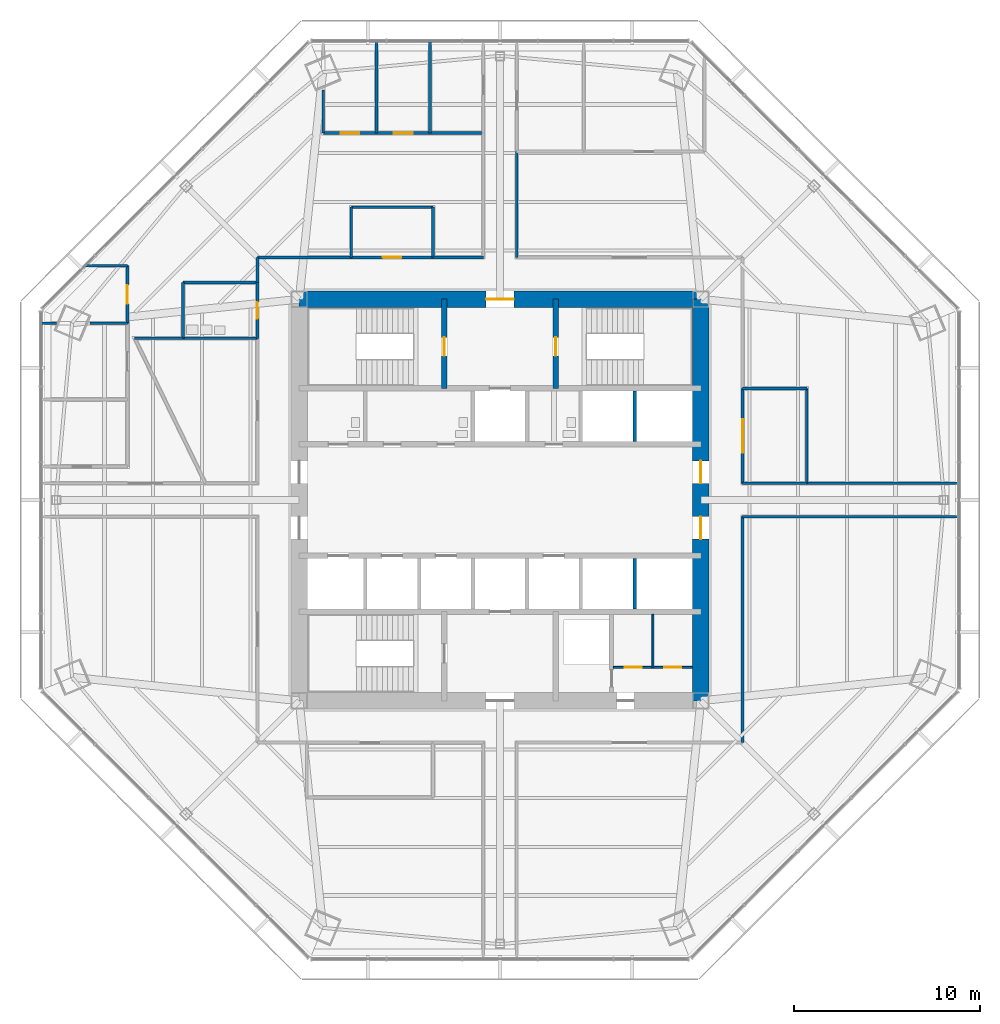
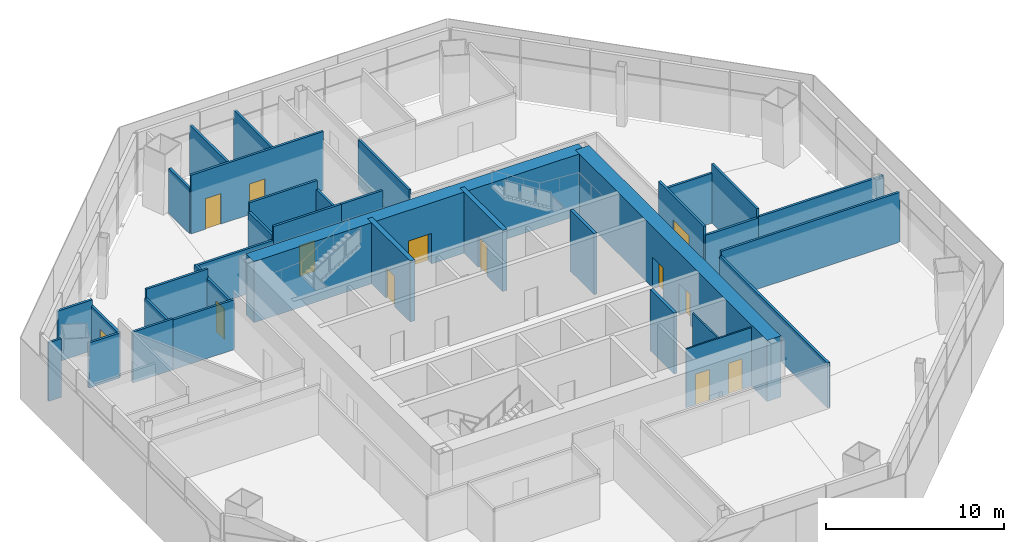
# One storey, part 10 of 14: 36 walls, 13 doors, 13 openings.
"""IFC4 building model written with IfcOpenShell, lengths in metres."""

import ifcopenshell
import ifcopenshell.guid

model = None  # the IFC model being written
_history = None  # IfcOwnerHistory: only IFC2X3 demands one
_inside = {}  # id of a spatial element -> (the spatial element, [elements in it])
_under = {}  # id of a project, library or spatial element -> (it, [spatial elements below it])
_declared = {}  # id of a project -> (the project, [libraries it declares])
_typed = {}  # id of a type object -> (the type object, [elements of that type])
_made_of = {}  # id of a material, layer set ... -> (it, [elements and type objects made of it])


def new_model(schema):
    """Start an empty IFC model of exactly this schema.

    Asked for "IFC4X3", IfcOpenShell would pick the latest addendum, in which some entities
    have other attributes; the version numbers below select the first issue.
    IFC2X3 requires an IfcOwnerHistory on every rooted entity: one is made here for all.
    """
    global model, _history
    if schema == "IFC4X3":
        model = ifcopenshell.file(schema_version=(4, 3, 0, 0))
    else:
        model = ifcopenshell.file(schema=schema)
    _inside.clear()
    _under.clear()
    _declared.clear()
    _typed.clear()
    _made_of.clear()
    _history = None
    if model.schema == "IFC2X3":
        org = make("IfcOrganization", Name="unknown")
        user = make(
            "IfcPersonAndOrganization",
            ThePerson=make("IfcPerson", FamilyName="unknown"),
            TheOrganization=org,
        )
        app = make(
            "IfcApplication",
            ApplicationDeveloper=org,
            Version="unknown",
            ApplicationFullName="unknown",
            ApplicationIdentifier="unknown",
        )
        _history = make(
            "IfcOwnerHistory",
            OwningUser=user,
            OwningApplication=app,
            ChangeAction="ADDED",
            CreationDate=0,
        )
    return model


def make(cls, **values):
    """One entity of the class cls with the attributes given. An attribute that is None is left unset."""
    return model.create_entity(
        cls, **{name: value for name, value in values.items() if value is not None}
    )


def rooted(cls, **values):
    """An entity with a GlobalId (a new one), such as an element, a storey or a relation."""
    return make(cls, GlobalId=ifcopenshell.guid.new(), OwnerHistory=_history, **values)


def si_unit(unit_type, name, prefix=None):
    """IfcSIUnit, for example si_unit("LENGTHUNIT", "METRE", prefix="MILLI")."""
    return make("IfcSIUnit", UnitType=unit_type, Prefix=prefix, Name=name)


def assignment(units):
    """IfcUnitAssignment: the units of a project."""
    return None if units is None else make("IfcUnitAssignment", Units=units)


def point(xyz):
    """IfcCartesianPoint."""
    return None if xyz is None else make("IfcCartesianPoint", Coordinates=xyz)


def direction(xyz):
    """IfcDirection."""
    return None if xyz is None else make("IfcDirection", DirectionRatios=xyz)


def frame(location, z_axis=None, x_axis=None):
    """IfcAxis2Placement3D, a coordinate frame: its origin and axes. An axis left out is left unset."""
    return make(
        "IfcAxis2Placement3D",
        Location=point(location),
        Axis=direction(z_axis),
        RefDirection=direction(x_axis),
    )


def frame_2d(location, x_axis=None):
    """IfcAxis2Placement2D, a coordinate frame in the plane: its origin and x axis."""
    return make(
        "IfcAxis2Placement2D", Location=point(location), RefDirection=direction(x_axis)
    )


def origin():
    """The frame at (0, 0, 0) with its axes left unset."""
    return frame((0.0, 0.0, 0.0))


def place(relative_to, where):
    """IfcLocalPlacement: puts the frame where relative to a parent placement (None: the world)."""
    return make(
        "IfcLocalPlacement", PlacementRelTo=relative_to, RelativePlacement=where
    )


def context(
    kind, dimensions, precision=None, world=None, true_north=None, identifier=None
):
    """IfcGeometricRepresentationContext, for example the 3D "Model" context."""
    return make(
        "IfcGeometricRepresentationContext",
        ContextIdentifier=identifier,
        ContextType=kind,
        CoordinateSpaceDimension=dimensions,
        Precision=precision,
        WorldCoordinateSystem=world,
        TrueNorth=true_north,
    )


def subcontext(parent, identifier, kind, view, scale=None):
    """IfcGeometricRepresentationSubContext, for example "Body" below "Model"."""
    return make(
        "IfcGeometricRepresentationSubContext",
        ContextIdentifier=identifier,
        ContextType=kind,
        ParentContext=parent,
        TargetScale=scale,
        TargetView=view,
    )


def project(units=None, contexts=None):
    """IfcProject with its units and contexts."""
    return rooted(
        "IfcProject",
        Name="project",
        RepresentationContexts=contexts,
        UnitsInContext=assignment(units),
    )


def spatial(cls, under=None, at=None, **own):
    """A site, building, storey or space (cls), placed at a placement, below another one or the project."""
    s = rooted(cls, ObjectPlacement=at, **own)
    if under is not None:
        _under.setdefault(under.id(), (under, []))[1].append(s)
    return s


def profile(cls, at=None, kind="AREA", **sizes):
    """A parametric profile (cls). Its sizes go by their IFC names, for example OverallWidth=200.0."""
    return make(cls, ProfileType=kind, Position=at, **sizes)


def rectangle(**sizes):
    """IfcRectangleProfileDef."""
    return profile("IfcRectangleProfileDef", **sizes)


def extrude(swept, where, along, depth):
    """IfcExtrudedAreaSolid: the profile swept, set in the frame where, extruded along a direction by depth."""
    return make(
        "IfcExtrudedAreaSolid",
        SweptArea=swept,
        Position=where,
        ExtrudedDirection=direction(along),
        Depth=depth,
    )


def shape(context_of_items, identifier, shape_type, items):
    """IfcShapeRepresentation: the items that make up one representation, for example the "Body"."""
    return make(
        "IfcShapeRepresentation",
        ContextOfItems=context_of_items,
        RepresentationIdentifier=identifier,
        RepresentationType=shape_type,
        Items=items,
    )


def material(Name=None, Category=None):
    """IfcMaterial."""
    return make("IfcMaterial", Name=Name, Category=Category)


def layer(
    of_material, thickness, ventilated=None, Name=None, Category=None, Priority=None
):
    """IfcMaterialLayer: one layer of a wall or slab, of a material (None: an air gap)."""
    return make(
        "IfcMaterialLayer",
        Material=of_material,
        LayerThickness=thickness,
        IsVentilated=ventilated,
        Name=Name,
        Category=Category,
        Priority=Priority,
    )


def layer_set(layers, Name=None):
    """IfcMaterialLayerSet."""
    return make("IfcMaterialLayerSet", MaterialLayers=layers, LayerSetName=Name)


def made_of(thing, what):
    """Note that an element or type object is made of a material, layer set ...; save() writes the relation."""
    if what is not None:
        _made_of.setdefault(what.id(), (what, []))[1].append(thing)
    return thing


def type_object(cls, material=None, **own):
    """A type object (cls), such as IfcWallType, which elements share."""
    return made_of(rooted(cls, **own), material)


def element(
    cls,
    number,
    at=None,
    inside=None,
    cuts=None,
    type_object=None,
    material=None,
    context=None,
    identifier="Body",
    shape_type=None,
    held_by="IfcProductDefinitionShape",
    body=None,
    shapes=None,
    **own,
):
    """One element of the class cls, such as IfcWall. Its Tag is "e" and its number.

    at: its placement. inside: the storey or other place that contains it. cuts: it is an
    opening in that element (IfcRelVoidsElement). A single representation is given by context,
    identifier, shape_type and body (its items); several are given by shapes. held_by: the class
    of the entity that holds the representations. save() writes the other relations.
    """
    e = rooted(cls, Tag="e%d" % number, ObjectPlacement=at, **own)
    if body is not None:
        shapes = [shape(context, identifier, shape_type, body)]
    if shapes is not None:
        e.Representation = make(held_by, Representations=shapes)
    if inside is not None:
        _inside.setdefault(inside.id(), (inside, []))[1].append(e)
    if cuts is not None:
        rooted(
            "IfcRelVoidsElement", RelatingBuildingElement=cuts, RelatedOpeningElement=e
        )
    if type_object is not None:
        _typed.setdefault(type_object.id(), (type_object, []))[1].append(e)
    return made_of(e, material)


def fill(opening, filler):
    """IfcRelFillsElement: the door or window that sits in an opening."""
    return rooted(
        "IfcRelFillsElement",
        RelatingOpeningElement=opening,
        RelatedBuildingElement=filler,
    )


def aggregate(whole, parts):
    """IfcRelAggregates: a whole, such as a stair, and the parts it consists of."""
    return rooted("IfcRelAggregates", RelatingObject=whole, RelatedObjects=parts)


def save(model, path):
    """Write the relations noted so far, then the file.

    IfcRelAggregates (storeys below a building ...), IfcRelContainedInSpatialStructure (elements
    in a storey), IfcRelDefinesByType, IfcRelAssociatesMaterial and IfcRelDeclares: one each for
    every whole, place, type object, material and project.
    """
    for whole, parts in _under.values():
        aggregate(whole, parts)
    for where, things in _inside.values():
        rooted(
            "IfcRelContainedInSpatialStructure",
            RelatedElements=things,
            RelatingStructure=where,
        )
    for kind, things in _typed.values():
        rooted("IfcRelDefinesByType", RelatedObjects=things, RelatingType=kind)
    for what, things in _made_of.values():
        rooted("IfcRelAssociatesMaterial", RelatedObjects=things, RelatingMaterial=what)
    for by, libraries in _declared.values():
        rooted("IfcRelDeclares", RelatingContext=by, RelatedDefinitions=libraries)
    model.write(path)


model = new_model("IFC4")

# Units and contexts
model_context = context("Model", 3, precision=1e-05, world=origin(), true_north=direction((0.0, 1.0)))
body_context = subcontext(model_context, "Body", "Model", "MODEL_VIEW")
ifc_project = project(units=[si_unit("LENGTHUNIT", "METRE"), si_unit("AREAUNIT", "SQUARE_METRE"), si_unit("VOLUMEUNIT", "CUBIC_METRE"), si_unit("PLANEANGLEUNIT", "RADIAN"), si_unit("MASSUNIT", "GRAM", prefix="KILO")], contexts=[model_context])

# Site, building, storey
site_placement = place(None, origin())
site = spatial("IfcSite", under=ifc_project, at=site_placement, CompositionType="ELEMENT")
building_placement = place(site_placement, origin())
building = spatial("IfcBuilding", under=site, at=building_placement, Name="Mashrafa Tower", CompositionType="ELEMENT")
storey_placement = place(building_placement, frame((0.0, 0.0, 117.60009765625)))
storey = spatial("IfcBuildingStorey", under=building, at=storey_placement, Name="L26", CompositionType="ELEMENT", Elevation=117.60009765625)

# Wall, opening, door
ifc_material_1 = material(Name="Concrete C60/75", Category="concrete")
ifc_layer_1 = layer(ifc_material_1, 0.300048828125)
ifc_layer_set_1 = layer_set([ifc_layer_1], Name="Core wall 300 C60/75")
wall_type_1 = type_object("IfcWallType", Name="Core wall 300 C60/75", PredefinedType="SOLIDWALL", material=ifc_layer_set_1)
wall_1_placement = place(storey_placement, frame((-3.0, 6.0, 0.0), z_axis=(0.0, 0.0, 1.0), x_axis=(0.0, 1.0, 0.0)))
wall_1 = element("IfcWall", 1, at=wall_1_placement, inside=storey, type_object=wall_type_1, Name="Core wall CX-NW L26", PredefinedType="SOLIDWALL", context=body_context, shape_type="SweptSolid", body=[
    extrude(rectangle(XDim=4.800048828125, YDim=0.300048828125, at=frame_2d((2.39990234375, 0.0))), origin(), (0.0, 0.0, 1.0), 4.199951171875),
])
opening_1_placement = place(wall_1_placement, frame((1.75, 0.0, 0.0)))
opening_1 = element("IfcOpeningElement", 2, at=opening_1_placement, cuts=wall_1, Name="Opening 26.024", PredefinedType="OPENING", context=body_context, shape_type="SweptSolid", body=[
    extrude(rectangle(XDim=1.0, YDim=2.10009765625, at=frame_2d((0.5, 1.050048828125))), frame((0.0, 0.159912109375, 0.0), z_axis=(0.0, -1.0, 0.0), x_axis=(1.0, 0.0, 0.0)), (0.0, 0.0, 1.0), 0.320068359375),
])
ifc_material_2 = material(Name="Steel door", Category="steel")
door_type_1 = type_object("IfcDoorType", Name="Stair door 1000 x 2100 90 min", OperationType="USERDEFINED", PredefinedType="DOOR", material=ifc_material_2)
door_1_placement = place(opening_1_placement, origin())
door_1 = element("IfcDoor", 3, at=door_1_placement, inside=storey, type_object=door_type_1, Name="Stair S1 door L26", OperationType="SINGLE_SWING_LEFT", OverallHeight=2.10009765625, OverallWidth=1.0, PredefinedType="DOOR", context=body_context, shape_type="SweptSolid", body=[
    extrude(rectangle(XDim=1.0, YDim=2.10009765625, at=frame_2d((0.5, 1.050048828125))), frame((0.0, 0.02490234375, 0.0), z_axis=(0.0, -1.0, 0.0), x_axis=(1.0, 0.0, 0.0)), (0.0, 0.0, 1.0), 0.050048828125),
])
fill(opening_1, door_1)

wall_2_placement = place(storey_placement, frame((3.0, 6.0, 0.0), z_axis=(0.0, 0.0, 1.0), x_axis=(0.0, 1.0, 0.0)))
wall_2 = element("IfcWall", 4, at=wall_2_placement, inside=storey, type_object=wall_type_1, Name="Core wall CX-NE L26", PredefinedType="SOLIDWALL", context=body_context, shape_type="SweptSolid", body=[
    extrude(rectangle(XDim=4.800048828125, YDim=0.300048828125, at=frame_2d((2.39990234375, 0.0))), origin(), (0.0, 0.0, 1.0), 4.199951171875),
])
opening_2_placement = place(wall_2_placement, frame((1.75, 0.0, 0.0)))
opening_2 = element("IfcOpeningElement", 5, at=opening_2_placement, cuts=wall_2, Name="Opening 26.025", PredefinedType="OPENING", context=body_context, shape_type="SweptSolid", body=[
    extrude(rectangle(XDim=1.0, YDim=2.10009765625, at=frame_2d((0.5, 1.050048828125))), frame((0.0, 0.159912109375, 0.0), z_axis=(0.0, -1.0, 0.0), x_axis=(1.0, 0.0, 0.0)), (0.0, 0.0, 1.0), 0.320068359375),
])
door_2_placement = place(opening_2_placement, frame((1.0, 0.0, 0.0), z_axis=(0.0, 0.0, 1.0), x_axis=(-1.0, 0.0, 0.0)))
door_2 = element("IfcDoor", 6, at=door_2_placement, inside=storey, type_object=door_type_1, Name="Stair S2 door L26", OperationType="SINGLE_SWING_RIGHT", OverallHeight=2.10009765625, OverallWidth=1.0, PredefinedType="DOOR", context=body_context, shape_type="SweptSolid", body=[
    extrude(rectangle(XDim=1.0, YDim=2.10009765625, at=frame_2d((0.5, 1.050048828125))), frame((0.0, 0.02490234375, 0.0), z_axis=(0.0, -1.0, 0.0), x_axis=(1.0, 0.0, 0.0)), (0.0, 0.0, 1.0), 0.050048828125),
])
fill(opening_2, door_2)

# Wall, openings, doors
ifc_material_3 = material(Name="Concrete C60/75", Category="concrete")
ifc_layer_2 = layer(ifc_material_3, 0.89990234375)
ifc_layer_set_2 = layer_set([ifc_layer_2], Name="Core wall 900 C60/75")
wall_type_2 = type_object("IfcWallType", Name="Core wall 900 C60/75", PredefinedType="SOLIDWALL", material=ifc_layer_set_2)
wall_3_placement = place(storey_placement, frame((10.800048828125, -10.800048828125, 0.0), z_axis=(0.0, 0.0, 1.0), x_axis=(0.0, 1.0, 0.0)))
wall_3 = element("IfcWall", 7, at=wall_3_placement, inside=storey, type_object=wall_type_2, Name="Core wall CW-E L26", PredefinedType="SOLIDWALL", context=body_context, shape_type="SweptSolid", body=[
    extrude(rectangle(XDim=21.60009765625, YDim=0.89990234375, at=frame_2d((10.800048828125, 0.0))), origin(), (0.0, 0.0, 1.0), 4.199951171875),
])
opening_3_placement = place(wall_3_placement, frame((11.699951171875, 0.0, 0.0)))
opening_3 = element("IfcOpeningElement", 8, at=opening_3_placement, cuts=wall_3, Name="Opening 26.018", PredefinedType="OPENING", context=body_context, shape_type="SweptSolid", body=[
    extrude(rectangle(XDim=1.199951171875, YDim=2.10009765625, at=frame_2d((0.60009765625, 1.050048828125))), frame((0.0, 0.4599609375, 0.0), z_axis=(0.0, -1.0, 0.0), x_axis=(1.0, 0.0, 0.0)), (0.0, 0.0, 1.0), 0.919921875),
])
opening_4_placement = place(wall_3_placement, frame((8.699951171875, 0.0, 0.0)))
opening_4 = element("IfcOpeningElement", 9, at=opening_4_placement, cuts=wall_3, Name="Opening 26.020", PredefinedType="OPENING", context=body_context, shape_type="SweptSolid", body=[
    extrude(rectangle(XDim=1.199951171875, YDim=2.10009765625, at=frame_2d((0.60009765625, 1.050048828125))), frame((0.0, 0.4599609375, 0.0), z_axis=(0.0, -1.0, 0.0), x_axis=(1.0, 0.0, 0.0)), (0.0, 0.0, 1.0), 0.919921875),
])
ifc_material_4 = material(Name="Steel door", Category="steel")
door_type_2 = type_object("IfcDoorType", Name="Lift hall door 1200 x 2100 90 min", OperationType="USERDEFINED", PredefinedType="DOOR", material=ifc_material_4)
door_3_placement = place(opening_3_placement, frame((1.199951171875, 0.0, 0.0), z_axis=(0.0, 0.0, 1.0), x_axis=(-1.0, 0.0, 0.0)))
door_3 = element("IfcDoor", 10, at=door_3_placement, inside=storey, type_object=door_type_2, Name="Lift hall door east L26", OperationType="SINGLE_SWING_LEFT", OverallHeight=2.10009765625, OverallWidth=1.199951171875, PredefinedType="DOOR", context=body_context, shape_type="SweptSolid", body=[
    extrude(rectangle(XDim=1.199951171875, YDim=2.10009765625, at=frame_2d((0.60009765625, 1.050048828125))), frame((0.0, 0.02490234375, 0.0), z_axis=(0.0, -1.0, 0.0), x_axis=(1.0, 0.0, 0.0)), (0.0, 0.0, 1.0), 0.050048828125),
])
fill(opening_3, door_3)
door_4_placement = place(opening_4_placement, frame((1.199951171875, 0.0, 0.0), z_axis=(0.0, 0.0, 1.0), x_axis=(-1.0, 0.0, 0.0)))
door_4 = element("IfcDoor", 11, at=door_4_placement, inside=storey, type_object=door_type_2, Name="Lift hall door east L26", OperationType="SINGLE_SWING_RIGHT", OverallHeight=2.10009765625, OverallWidth=1.199951171875, PredefinedType="DOOR", context=body_context, shape_type="SweptSolid", body=[
    extrude(rectangle(XDim=1.199951171875, YDim=2.10009765625, at=frame_2d((0.60009765625, 1.050048828125))), frame((0.0, 0.02490234375, 0.0), z_axis=(0.0, -1.0, 0.0), x_axis=(1.0, 0.0, 0.0)), (0.0, 0.0, 1.0), 0.050048828125),
])
fill(opening_4, door_4)

# Wall, opening, door
wall_4_placement = place(storey_placement, frame((10.800048828125, 10.800048828125, 0.0), z_axis=(0.0, 0.0, 1.0), x_axis=(-1.0, 0.0, 0.0)))
wall_4 = element("IfcWall", 12, at=wall_4_placement, inside=storey, type_object=wall_type_2, Name="Core wall CW-N L26", PredefinedType="SOLIDWALL", context=body_context, shape_type="SweptSolid", body=[
    extrude(rectangle(XDim=21.60009765625, YDim=0.89990234375, at=frame_2d((10.800048828125, 0.0))), origin(), (0.0, 0.0, 1.0), 4.199951171875),
])
opening_5_placement = place(wall_4_placement, frame((10.050048828125, 0.0, 0.0)))
opening_5 = element("IfcOpeningElement", 13, at=opening_5_placement, cuts=wall_4, Name="Opening 26.022", PredefinedType="OPENING", context=body_context, shape_type="SweptSolid", body=[
    extrude(rectangle(XDim=1.5, YDim=2.10009765625, at=frame_2d((0.75, 1.050048828125))), frame((0.0, 0.4599609375, 0.0), z_axis=(0.0, -1.0, 0.0), x_axis=(1.0, 0.0, 0.0)), (0.0, 0.0, 1.0), 0.919921875),
])
ifc_material_5 = material(Name="Steel door", Category="steel")
door_type_3 = type_object("IfcDoorType", Name="Lobby door pair 1500 x 2100 90 min", OperationType="DOUBLE_DOOR_SINGLE_SWING", PredefinedType="DOOR", material=ifc_material_5)
door_5_placement = place(opening_5_placement, origin())
door_5 = element("IfcDoor", 14, at=door_5_placement, inside=storey, type_object=door_type_3, Name="Fire-fighting lobby F1 door L26", OperationType="DOUBLE_DOOR_SINGLE_SWING", OverallHeight=2.10009765625, OverallWidth=1.5, PredefinedType="DOOR", context=body_context, shape_type="SweptSolid", body=[
    extrude(rectangle(XDim=1.5, YDim=2.10009765625, at=frame_2d((0.75, 1.050048828125))), frame((0.0, 0.02490234375, 0.0), z_axis=(0.0, -1.0, 0.0), x_axis=(1.0, 0.0, 0.0)), (0.0, 0.0, 1.0), 0.050048828125),
])
fill(opening_5, door_5)

ifc_material_6 = material(Name="Gypsum board on steel studs", Category="steel")
ifc_layer_3 = layer(ifc_material_6, 0.14990234375)
ifc_layer_set_3 = layer_set([ifc_layer_3], Name="Corridor partition 150 1 hr")
wall_type_3 = type_object("IfcWallType", Name="Corridor partition 150 1 hr", PredefinedType="PARTITIONING", material=ifc_layer_set_3)
wall_5_placement = place(storey_placement, frame((-13.050048828125, 11.700927734375, 0.0), z_axis=(0.0, 0.0, 1.0), x_axis=(0.0, -1.0, 0.0)))
wall_5 = element("IfcWall", 15, at=wall_5_placement, inside=storey, type_object=wall_type_3, Name="Corridor wall L26-003", PredefinedType="PARTITIONING", context=body_context, shape_type="SweptSolid", body=[
    extrude(rectangle(XDim=3.001953125, YDim=0.14990234375, at=frame_2d((1.5009765625, 0.0))), origin(), (0.0, 0.0, 1.0), 3.097900390625),
])
opening_6_placement = place(wall_5_placement, frame((1.051025390625, 0.0, 0.0)))
opening_6 = element("IfcOpeningElement", 16, at=opening_6_placement, cuts=wall_5, Name="Opening 26.002", PredefinedType="OPENING", context=body_context, shape_type="SweptSolid", body=[
    extrude(rectangle(XDim=0.89990234375, YDim=2.10009765625, at=frame_2d((0.449951171875, 1.050048828125))), frame((0.0, 0.0849609375, 0.0), z_axis=(0.0, -1.0, 0.0), x_axis=(1.0, 0.0, 0.0)), (0.0, 0.0, 1.0), 0.169921875),
])
ifc_material_7 = material(Name="Timber door", Category="wood")
door_type_4 = type_object("IfcDoorType", Name="Toilet door 900 x 2100", OperationType="USERDEFINED", PredefinedType="DOOR", material=ifc_material_7)
door_6_placement = place(opening_6_placement, frame((0.89990234375, 0.0, 0.0), z_axis=(0.0, 0.0, 1.0), x_axis=(-1.0, 0.0, 0.0)))
door_6 = element("IfcDoor", 17, at=door_6_placement, inside=storey, type_object=door_type_4, Name="Ablution Room L26 door", OperationType="SINGLE_SWING_RIGHT", OverallHeight=2.10009765625, OverallWidth=0.89990234375, PredefinedType="DOOR", context=body_context, shape_type="SweptSolid", body=[
    extrude(rectangle(XDim=0.89990234375, YDim=2.10009765625, at=frame_2d((0.449951171875, 1.050048828125))), frame((0.0, 0.02490234375, 0.0), z_axis=(0.0, -1.0, 0.0), x_axis=(1.0, 0.0, 0.0)), (0.0, 0.0, 1.0), 0.050048828125),
])
fill(opening_6, door_6)

# Wall
wall_6_placement = place(storey_placement, frame((16.5009765625, 0.89990234375, 0.0), z_axis=(0.0, 0.0, 1.0), x_axis=(-1.0, 0.0, 0.0)))
element("IfcWall", 18, at=wall_6_placement, inside=storey, type_object=wall_type_3, Name="Corridor wall L26-004", PredefinedType="PARTITIONING", context=body_context, shape_type="SweptSolid", body=[
    extrude(rectangle(XDim=3.450927734375, YDim=0.14990234375, at=frame_2d((1.7255859375, 0.0))), origin(), (0.0, 0.0, 1.0), 3.425537109375),
])

# Wall, opening, door
wall_7_placement = place(storey_placement, frame((13.050048828125, 0.89990234375, 0.0), z_axis=(0.0, 0.0, 1.0), x_axis=(0.0, 1.0, 0.0)))
wall_7 = element("IfcWall", 19, at=wall_7_placement, inside=storey, type_object=wall_type_3, Name="Corridor wall L26-005", PredefinedType="PARTITIONING", context=body_context, shape_type="SweptSolid", body=[
    extrude(rectangle(XDim=5.10107421875, YDim=0.14990234375, at=frame_2d((2.550537109375, 0.0))), origin(), (0.0, 0.0, 1.0), 4.034912109375),
])
opening_7_placement = place(wall_7_placement, frame((1.650390625, 0.0, 0.0)))
opening_7 = element("IfcOpeningElement", 20, at=opening_7_placement, cuts=wall_7, Name="Opening 26.003", PredefinedType="OPENING", context=body_context, shape_type="SweptSolid", body=[
    extrude(rectangle(XDim=1.800048828125, YDim=2.39990234375, at=frame_2d((0.89990234375, 1.199951171875))), frame((0.0, 0.0849609375, 0.0), z_axis=(0.0, -1.0, 0.0), x_axis=(1.0, 0.0, 0.0)), (0.0, 0.0, 1.0), 0.169921875),
])
ifc_material_8 = material(Name="Steel door", Category="steel")
door_type_5 = type_object("IfcDoorType", Name="Door pair 1800 x 2400 90 min", OperationType="DOUBLE_DOOR_SINGLE_SWING", PredefinedType="DOOR", material=ifc_material_8)
door_7_placement = place(opening_7_placement, origin())
door_7 = element("IfcDoor", 21, at=door_7_placement, inside=storey, type_object=door_type_5, Name="Reception Majlis 26 door", OperationType="DOUBLE_DOOR_SINGLE_SWING", OverallHeight=2.39990234375, OverallWidth=1.800048828125, PredefinedType="DOOR", context=body_context, shape_type="SweptSolid", body=[
    extrude(rectangle(XDim=1.800048828125, YDim=2.39990234375, at=frame_2d((0.89990234375, 1.199951171875))), frame((0.0, 0.02490234375, 0.0), z_axis=(0.0, -1.0, 0.0), x_axis=(1.0, 0.0, 0.0)), (0.0, 0.0, 1.0), 0.050048828125),
])
fill(opening_7, door_7)

wall_8_placement = place(storey_placement, frame((-3.59912109375, 13.050048828125, 0.0), z_axis=(0.0, 0.0, 1.0), x_axis=(-1.0, 0.0, 0.0)))
wall_8 = element("IfcWall", 22, at=wall_8_placement, inside=storey, type_object=wall_type_3, Name="Corridor wall L26-008", PredefinedType="PARTITIONING", context=body_context, shape_type="SweptSolid", body=[
    extrude(rectangle(XDim=4.40185546875, YDim=0.14990234375, at=frame_2d((2.200927734375, 0.0))), origin(), (0.0, 0.0, 1.0), 4.034912109375),
])
opening_8_placement = place(wall_8_placement, frame((1.700927734375, 0.0, 0.0)))
opening_8 = element("IfcOpeningElement", 23, at=opening_8_placement, cuts=wall_8, Name="Opening 26.007", PredefinedType="OPENING", context=body_context, shape_type="SweptSolid", body=[
    extrude(rectangle(XDim=1.0, YDim=2.10009765625, at=frame_2d((0.5, 1.050048828125))), frame((0.0, 0.0849609375, 0.0), z_axis=(0.0, -1.0, 0.0), x_axis=(1.0, 0.0, 0.0)), (0.0, 0.0, 1.0), 0.169921875),
])
ifc_material_9 = material(Name="Timber door", Category="wood")
door_type_6 = type_object("IfcDoorType", Name="Door 1000 x 2100", OperationType="USERDEFINED", PredefinedType="DOOR", material=ifc_material_9)
door_8_placement = place(opening_8_placement, frame((1.0, 0.0, 0.0), z_axis=(0.0, 0.0, 1.0), x_axis=(-1.0, 0.0, 0.0)))
door_8 = element("IfcDoor", 24, at=door_8_placement, inside=storey, type_object=door_type_6, Name="Pantry 26 door", OperationType="SINGLE_SWING_LEFT", OverallHeight=2.10009765625, OverallWidth=1.0, PredefinedType="DOOR", context=body_context, shape_type="SweptSolid", body=[
    extrude(rectangle(XDim=1.0, YDim=2.10009765625, at=frame_2d((0.5, 1.050048828125))), frame((0.0, 0.02490234375, 0.0), z_axis=(0.0, -1.0, 0.0), x_axis=(1.0, 0.0, 0.0)), (0.0, 0.0, 1.0), 0.050048828125),
])
fill(opening_8, door_8)

# Walls
wall_9_placement = place(storey_placement, frame((0.89990234375, 13.050048828125, 0.0), z_axis=(0.0, 0.0, 1.0), x_axis=(0.0, 1.0, 0.0)))
element("IfcWall", 25, at=wall_9_placement, inside=storey, type_object=wall_type_3, Name="Corridor wall L26-012", PredefinedType="PARTITIONING", context=body_context, shape_type="SweptSolid", body=[
    extrude(rectangle(XDim=5.68896484375, YDim=0.14990234375, at=frame_2d((2.844482421875, 0.0))), origin(), (0.0, 0.0, 1.0), 3.425537109375),
])
wall_10_placement = place(storey_placement, frame((24.669921875, 0.89990234375, 0.0), z_axis=(0.0, 0.0, 1.0), x_axis=(-1.0, 0.0, 0.0)))
element("IfcWall", 26, at=wall_10_placement, inside=storey, type_object=wall_type_3, Name="Corridor wall L26-013", PredefinedType="PARTITIONING", context=body_context, shape_type="SweptSolid", body=[
    extrude(rectangle(XDim=8.1708984375, YDim=0.14990234375, at=frame_2d((4.08544921875, 0.0))), origin(), (0.0, 0.0, 1.0), 3.491455078125),
])
wall_11_placement = place(storey_placement, frame((-7.9990234375, 13.050048828125, 0.0), z_axis=(0.0, 0.0, 1.0), x_axis=(-1.0, 0.0, 0.0)))
element("IfcWall", 27, at=wall_11_placement, inside=storey, type_object=wall_type_3, Name="Corridor wall L26-015", PredefinedType="PARTITIONING", context=body_context, shape_type="SweptSolid", body=[
    extrude(rectangle(XDim=5.051025390625, YDim=0.14990234375, at=frame_2d((2.525390625, 0.0))), origin(), (0.0, 0.0, 1.0), 3.097900390625),
])
wall_12_placement = place(storey_placement, frame((-13.050048828125, 13.050048828125, 0.0), z_axis=(0.0, 0.0, 1.0), x_axis=(0.0, -1.0, 0.0)))
element("IfcWall", 28, at=wall_12_placement, inside=storey, type_object=wall_type_3, Name="Corridor wall L26-016", PredefinedType="PARTITIONING", context=body_context, shape_type="SweptSolid", body=[
    extrude(rectangle(XDim=1.35107421875, YDim=0.14990234375, at=frame_2d((0.675537109375, 0.0))), origin(), (0.0, 0.0, 1.0), 3.18408203125),
])
wall_13_placement = place(storey_placement, frame((-0.89990234375, 13.050048828125, 0.0), z_axis=(0.0, 0.0, 1.0), x_axis=(-1.0, 0.0, 0.0)))
element("IfcWall", 29, at=wall_13_placement, inside=storey, type_object=wall_type_3, Name="Corridor wall L26-018", PredefinedType="PARTITIONING", context=body_context, shape_type="SweptSolid", body=[
    extrude(rectangle(XDim=2.701171875, YDim=0.14990234375, at=frame_2d((1.3505859375, 0.0))), origin(), (0.0, 0.0, 1.0), 4.034912109375),
])
wall_14_placement = place(storey_placement, frame((13.050048828125, -13.050048828125, 0.0), z_axis=(0.0, 0.0, 1.0), x_axis=(0.0, 1.0, 0.0)))
element("IfcWall", 30, at=wall_14_placement, inside=storey, type_object=wall_type_3, Name="Corridor wall L26-026", PredefinedType="PARTITIONING", context=body_context, shape_type="SweptSolid", body=[
    extrude(rectangle(XDim=12.150146484375, YDim=0.14990234375, at=frame_2d((6.0751953125, 0.0))), origin(), (0.0, 0.0, 1.0), 3.097900390625),
])
wall_15_placement = place(storey_placement, frame((13.050048828125, -0.89990234375, 0.0), z_axis=(0.0, 0.0, 1.0), x_axis=(1.0, 0.0, 0.0)))
element("IfcWall", 31, at=wall_15_placement, inside=storey, type_object=wall_type_3, Name="Corridor wall L26-027", PredefinedType="PARTITIONING", context=body_context, shape_type="SweptSolid", body=[
    extrude(rectangle(XDim=11.619873046875, YDim=0.14990234375, at=frame_2d((5.81005859375, 0.0))), origin(), (0.0, 0.0, 1.0), 3.425537109375),
])
wall_16_placement = place(storey_placement, frame((16.5, 0.89990234375, 0.0), z_axis=(0.0, 0.0, 1.0), x_axis=(0.0, 1.0, 0.0)))
element("IfcWall", 32, at=wall_16_placement, inside=storey, type_object=wall_type_3, Name="Corridor wall L26-033", PredefinedType="PARTITIONING", context=body_context, shape_type="SweptSolid", body=[
    extrude(rectangle(XDim=5.10009765625, YDim=0.14990234375, at=frame_2d((2.550048828125, 0.0))), origin(), (0.0, 0.0, 1.0), 4.034912109375),
])
wall_17_placement = place(storey_placement, frame((16.5, 6.0, 0.0), z_axis=(0.0, 0.0, 1.0), x_axis=(-1.0, 0.0, 0.0)))
element("IfcWall", 33, at=wall_17_placement, inside=storey, type_object=wall_type_3, Name="Corridor wall L26-034", PredefinedType="PARTITIONING", context=body_context, shape_type="SweptSolid", body=[
    extrude(rectangle(XDim=3.449951171875, YDim=0.14990234375, at=frame_2d((1.72509765625, 0.0))), origin(), (0.0, 0.0, 1.0), 3.425537109375),
])

# Wall, openings, doors
ifc_material_10 = material(Name="Gypsum board on steel studs", Category="steel")
ifc_layer_4 = layer(ifc_material_10, 0.10009765625)
ifc_layer_set_4 = layer_set([ifc_layer_4], Name="Partition 100 1 hr")
wall_type_4 = type_object("IfcWallType", Name="Partition 100 1 hr", PredefinedType="PARTITIONING", material=ifc_layer_set_4)
wall_18_placement = place(storey_placement, frame((6.10009765625, -9.0, 0.0), z_axis=(0.0, 0.0, 1.0), x_axis=(1.0, 0.0, 0.0)))
wall_18 = element("IfcWall", 34, at=wall_18_placement, inside=storey, type_object=wall_type_4, Name="Services lobby partition A L26", PredefinedType="PARTITIONING", context=body_context, shape_type="SweptSolid", body=[
    extrude(rectangle(XDim=4.25, YDim=0.10009765625, at=frame_2d((2.125, 0.0))), origin(), (0.0, 0.0, 1.0), 4.034912109375),
])
opening_9_placement = place(wall_18_placement, frame((0.612548828125, 0.0, 0.0)))
opening_9 = element("IfcOpeningElement", 35, at=opening_9_placement, cuts=wall_18, Name="Opening 26.029", PredefinedType="OPENING", context=body_context, shape_type="SweptSolid", body=[
    extrude(rectangle(XDim=0.89990234375, YDim=2.10009765625, at=frame_2d((0.449951171875, 1.050048828125))), frame((0.0, 0.06005859375, 0.0), z_axis=(0.0, -1.0, 0.0), x_axis=(1.0, 0.0, 0.0)), (0.0, 0.0, 1.0), 0.1201171875),
])
opening_10_placement = place(wall_18_placement, frame((2.737548828125, 0.0, 0.0)))
opening_10 = element("IfcOpeningElement", 36, at=opening_10_placement, cuts=wall_18, Name="Opening 26.030", PredefinedType="OPENING", context=body_context, shape_type="SweptSolid", body=[
    extrude(rectangle(XDim=0.89990234375, YDim=2.10009765625, at=frame_2d((0.449951171875, 1.050048828125))), frame((0.0, 0.06005859375, 0.0), z_axis=(0.0, -1.0, 0.0), x_axis=(1.0, 0.0, 0.0)), (0.0, 0.0, 1.0), 0.1201171875),
])
ifc_material_11 = material(Name="Timber door", Category="wood")
door_type_7 = type_object("IfcDoorType", Name="Store door 900 x 2100", OperationType="USERDEFINED", PredefinedType="DOOR", material=ifc_material_11)
door_9_placement = place(opening_9_placement, origin())
door_9 = element("IfcDoor", 37, at=door_9_placement, inside=storey, type_object=door_type_7, Name="Communications Room L26 door", OperationType="SINGLE_SWING_RIGHT", OverallHeight=2.10009765625, OverallWidth=0.89990234375, PredefinedType="DOOR", context=body_context, shape_type="SweptSolid", body=[
    extrude(rectangle(XDim=0.89990234375, YDim=2.10009765625, at=frame_2d((0.449951171875, 1.050048828125))), frame((0.0, 0.02490234375, 0.0), z_axis=(0.0, -1.0, 0.0), x_axis=(1.0, 0.0, 0.0)), (0.0, 0.0, 1.0), 0.050048828125),
])
fill(opening_9, door_9)
door_10_placement = place(opening_10_placement, origin())
door_10 = element("IfcDoor", 38, at=door_10_placement, inside=storey, type_object=door_type_7, Name="Cleaner's Store L26 door", OperationType="SINGLE_SWING_LEFT", OverallHeight=2.10009765625, OverallWidth=0.89990234375, PredefinedType="DOOR", context=body_context, shape_type="SweptSolid", body=[
    extrude(rectangle(XDim=0.89990234375, YDim=2.10009765625, at=frame_2d((0.449951171875, 1.050048828125))), frame((0.0, 0.02490234375, 0.0), z_axis=(0.0, -1.0, 0.0), x_axis=(1.0, 0.0, 0.0)), (0.0, 0.0, 1.0), 0.050048828125),
])
fill(opening_10, door_10)

# Walls
wall_19_placement = place(storey_placement, frame((8.22509765625, -9.0, 0.0), z_axis=(0.0, 0.0, 1.0), x_axis=(0.0, 1.0, 0.0)))
element("IfcWall", 39, at=wall_19_placement, inside=storey, type_object=wall_type_4, Name="Services lobby partition B L26", PredefinedType="PARTITIONING", context=body_context, shape_type="SweptSolid", body=[
    extrude(rectangle(XDim=2.85009765625, YDim=0.10009765625, at=frame_2d((1.425048828125, 0.0))), origin(), (0.0, 0.0, 1.0), 4.034912109375),
])
ifc_material_12 = material(Name="Gypsum board on steel studs", Category="steel")
ifc_layer_5 = layer(ifc_material_12, 0.14990234375)
ifc_layer_set_5 = layer_set([ifc_layer_5], Name="Partition 150")
wall_type_5 = type_object("IfcWallType", Name="Partition 150", PredefinedType="PARTITIONING", material=ifc_layer_set_5)
wall_20_placement = place(storey_placement, frame((-13.050048828125, 8.699951171875, 0.0), z_axis=(0.0, 0.0, 1.0), x_axis=(-1.0, 0.0, 0.0)))
element("IfcWall", 40, at=wall_20_placement, inside=storey, type_object=wall_type_5, Name="Partition wall L26-028", PredefinedType="PARTITIONING", context=body_context, shape_type="SweptSolid", body=[
    extrude(rectangle(XDim=4.0009765625, YDim=0.14990234375, at=frame_2d((2.00048828125, 0.0))), origin(), (0.0, 0.0, 1.0), 3.425537109375),
])
wall_21_placement = place(storey_placement, frame((-17.049072265625, 8.699951171875, 0.0), z_axis=(0.0, 0.0, 1.0), x_axis=(-1.0, 0.0, 0.0)))
element("IfcWall", 41, at=wall_21_placement, inside=storey, type_object=wall_type_5, Name="Partition wall L26-029", PredefinedType="PARTITIONING", context=body_context, shape_type="SweptSolid", body=[
    extrude(rectangle(XDim=2.600830078125, YDim=0.14990234375, at=frame_2d((1.30029296875, 0.0))), origin(), (0.0, 0.0, 1.0), 3.4990234375),
])
wall_22_placement = place(storey_placement, frame((-13.050048828125, 11.699951171875, 0.0), z_axis=(0.0, 0.0, 1.0), x_axis=(-1.0, 0.0, 0.0)))
element("IfcWall", 42, at=wall_22_placement, inside=storey, type_object=wall_type_5, Name="Partition wall L26-031", PredefinedType="PARTITIONING", context=body_context, shape_type="SweptSolid", body=[
    extrude(rectangle(XDim=4.0, YDim=0.14990234375, at=frame_2d((2.0, 0.0))), origin(), (0.0, 0.0, 1.0), 3.715087890625),
])
wall_23_placement = place(storey_placement, frame((-17.050048828125, 11.699951171875, 0.0), z_axis=(0.0, 0.0, 1.0), x_axis=(0.0, -1.0, 0.0)))
element("IfcWall", 43, at=wall_23_placement, inside=storey, type_object=wall_type_5, Name="Partition wall L26-032", PredefinedType="PARTITIONING", context=body_context, shape_type="SweptSolid", body=[
    extrude(rectangle(XDim=3.0, YDim=0.14990234375, at=frame_2d((1.5, 0.0))), origin(), (0.0, 0.0, 1.0), 3.097900390625),
])
wall_24_placement = place(storey_placement, frame((-3.60009765625, 13.050048828125, 0.0), z_axis=(0.0, 0.0, 1.0), x_axis=(0.0, 1.0, 0.0)))
element("IfcWall", 44, at=wall_24_placement, inside=storey, type_object=wall_type_5, Name="Partition wall L26-042", PredefinedType="PARTITIONING", context=body_context, shape_type="SweptSolid", body=[
    extrude(rectangle(XDim=2.699951171875, YDim=0.14990234375, at=frame_2d((1.35009765625, 0.0))), origin(), (0.0, 0.0, 1.0), 3.425537109375),
])
wall_25_placement = place(storey_placement, frame((-3.60009765625, 15.75, 0.0), z_axis=(0.0, 0.0, 1.0), x_axis=(-1.0, 0.0, 0.0)))
element("IfcWall", 45, at=wall_25_placement, inside=storey, type_object=wall_type_5, Name="Partition wall L26-043", PredefinedType="PARTITIONING", context=body_context, shape_type="SweptSolid", body=[
    extrude(rectangle(XDim=4.39990234375, YDim=0.14990234375, at=frame_2d((2.199951171875, 0.0))), origin(), (0.0, 0.0, 1.0), 4.034912109375),
])
wall_26_placement = place(storey_placement, frame((-8.0, 15.75, 0.0), z_axis=(0.0, 0.0, 1.0), x_axis=(0.0, -1.0, 0.0)))
element("IfcWall", 46, at=wall_26_placement, inside=storey, type_object=wall_type_5, Name="Partition wall L26-044", PredefinedType="PARTITIONING", context=body_context, shape_type="SweptSolid", body=[
    extrude(rectangle(XDim=2.699951171875, YDim=0.14990234375, at=frame_2d((1.35009765625, 0.0))), origin(), (0.0, 0.0, 1.0), 3.425537109375),
])
wall_27_placement = place(storey_placement, frame((-24.669921875, 9.506103515625, 0.0), z_axis=(0.0, 0.0, 1.0), x_axis=(1.0, 0.0, 0.0)))
element("IfcWall", 47, at=wall_27_placement, inside=storey, type_object=wall_type_5, Name="Partition wall L26-045", PredefinedType="PARTITIONING", context=body_context, shape_type="SweptSolid", body=[
    extrude(rectangle(XDim=0.817138671875, YDim=0.14990234375, at=frame_2d((0.40869140625, 0.0))), origin(), (0.0, 0.0, 1.0), 4.034912109375),
])
wall_28_placement = place(storey_placement, frame((-22.048095703125, 9.506103515625, 0.0), z_axis=(0.0, 0.0, 1.0), x_axis=(1.0, 0.0, 0.0)))
element("IfcWall", 48, at=wall_28_placement, inside=storey, type_object=wall_type_5, Name="Partition wall L26-046", PredefinedType="PARTITIONING", context=body_context, shape_type="SweptSolid", body=[
    extrude(rectangle(XDim=2.010009765625, YDim=0.14990234375, at=frame_2d((1.0048828125, 0.0))), origin(), (0.0, 0.0, 1.0), 3.097900390625),
])

# Wall, opening, door
wall_29_placement = place(storey_placement, frame((-20.0380859375, 9.506103515625, 0.0), z_axis=(0.0, 0.0, 1.0), x_axis=(0.0, 1.0, 0.0)))
wall_29 = element("IfcWall", 49, at=wall_29_placement, inside=storey, type_object=wall_type_5, Name="Partition wall L26-047", PredefinedType="PARTITIONING", context=body_context, shape_type="SweptSolid", body=[
    extrude(rectangle(XDim=3.093994140625, YDim=0.14990234375, at=frame_2d((1.546875, 0.0))), origin(), (0.0, 0.0, 1.0), 3.097900390625),
])
opening_11_placement = place(wall_29_placement, frame((1.047119140625, 0.0, 0.0)))
opening_11 = element("IfcOpeningElement", 50, at=opening_11_placement, cuts=wall_29, Name="Opening 26.008", PredefinedType="OPENING", context=body_context, shape_type="SweptSolid", body=[
    extrude(rectangle(XDim=1.0, YDim=2.10009765625, at=frame_2d((0.5, 1.050048828125))), frame((0.0, 0.0849609375, 0.0), z_axis=(0.0, -1.0, 0.0), x_axis=(1.0, 0.0, 0.0)), (0.0, 0.0, 1.0), 0.169921875),
])
door_11_placement = place(opening_11_placement, origin())
door_11 = element("IfcDoor", 51, at=door_11_placement, inside=storey, type_object=door_type_6, Name="Case Officer's Office 26-NW-1 door", OperationType="SINGLE_SWING_RIGHT", OverallHeight=2.10009765625, OverallWidth=1.0, PredefinedType="DOOR", context=body_context, shape_type="SweptSolid", body=[
    extrude(rectangle(XDim=1.0, YDim=2.10009765625, at=frame_2d((0.5, 1.050048828125))), frame((0.0, 0.02490234375, 0.0), z_axis=(0.0, -1.0, 0.0), x_axis=(1.0, 0.0, 0.0)), (0.0, 0.0, 1.0), 0.050048828125),
])
fill(opening_11, door_11)

# Walls
wall_30_placement = place(storey_placement, frame((-20.0380859375, 12.60009765625, 0.0), z_axis=(0.0, 0.0, 1.0), x_axis=(-1.0, 0.0, 0.0)))
element("IfcWall", 52, at=wall_30_placement, inside=storey, type_object=wall_type_5, Name="Partition wall L26-048", PredefinedType="PARTITIONING", context=body_context, shape_type="SweptSolid", body=[
    extrude(rectangle(XDim=2.252197265625, YDim=0.14990234375, at=frame_2d((1.1259765625, 0.0))), origin(), (0.0, 0.0, 1.0), 3.4990234375),
])
wall_31_placement = place(storey_placement, frame((-3.76904296875, 24.669921875, 0.0), z_axis=(0.0, 0.0, 1.0), x_axis=(0.0, -1.0, 0.0)))
element("IfcWall", 53, at=wall_31_placement, inside=storey, type_object=wall_type_5, Name="Partition wall L26-053", PredefinedType="PARTITIONING", context=body_context, shape_type="SweptSolid", body=[
    extrude(rectangle(XDim=4.931884765625, YDim=0.14990234375, at=frame_2d((2.4658203125, 0.0))), origin(), (0.0, 0.0, 1.0), 3.491455078125),
])

# Wall, openings, doors
wall_32_placement = place(storey_placement, frame((-0.89990234375, 19.738037109375, 0.0), z_axis=(0.0, 0.0, 1.0), x_axis=(-1.0, 0.0, 0.0)))
wall_32 = element("IfcWall", 54, at=wall_32_placement, inside=storey, type_object=wall_type_5, Name="Partition wall L26-054", PredefinedType="PARTITIONING", context=body_context, shape_type="SweptSolid", body=[
    extrude(rectangle(XDim=8.606201171875, YDim=0.14990234375, at=frame_2d((4.30322265625, 0.0))), origin(), (0.0, 0.0, 1.0), 4.034912109375),
])
opening_12_placement = place(wall_32_placement, frame((3.802978515625, 0.0, 0.0)))
opening_12 = element("IfcOpeningElement", 55, at=opening_12_placement, cuts=wall_32, Name="Opening 26.012", PredefinedType="OPENING", context=body_context, shape_type="SweptSolid", body=[
    extrude(rectangle(XDim=1.0, YDim=2.10009765625, at=frame_2d((0.5, 1.050048828125))), frame((0.0, 0.0849609375, 0.0), z_axis=(0.0, -1.0, 0.0), x_axis=(1.0, 0.0, 0.0)), (0.0, 0.0, 1.0), 0.169921875),
])
opening_13_placement = place(wall_32_placement, frame((6.67138671875, 0.0, 0.0)))
opening_13 = element("IfcOpeningElement", 56, at=opening_13_placement, cuts=wall_32, Name="Opening 26.013", PredefinedType="OPENING", context=body_context, shape_type="SweptSolid", body=[
    extrude(rectangle(XDim=1.0, YDim=2.10009765625, at=frame_2d((0.5, 1.050048828125))), frame((0.0, 0.0849609375, 0.0), z_axis=(0.0, -1.0, 0.0), x_axis=(1.0, 0.0, 0.0)), (0.0, 0.0, 1.0), 0.169921875),
])
door_12_placement = place(opening_12_placement, frame((1.0, 0.0, 0.0), z_axis=(0.0, 0.0, 1.0), x_axis=(-1.0, 0.0, 0.0)))
door_12 = element("IfcDoor", 57, at=door_12_placement, inside=storey, type_object=door_type_6, Name="Meeting Room 26-NW-1 door", OperationType="SINGLE_SWING_LEFT", OverallHeight=2.10009765625, OverallWidth=1.0, PredefinedType="DOOR", context=body_context, shape_type="SweptSolid", body=[
    extrude(rectangle(XDim=1.0, YDim=2.10009765625, at=frame_2d((0.5, 1.050048828125))), frame((0.0, 0.02490234375, 0.0), z_axis=(0.0, -1.0, 0.0), x_axis=(1.0, 0.0, 0.0)), (0.0, 0.0, 1.0), 0.050048828125),
])
fill(opening_12, door_12)
door_13_placement = place(opening_13_placement, frame((1.0, 0.0, 0.0), z_axis=(0.0, 0.0, 1.0), x_axis=(-1.0, 0.0, 0.0)))
door_13 = element("IfcDoor", 58, at=door_13_placement, inside=storey, type_object=door_type_6, Name="Meeting Room 26-NW-2 door", OperationType="SINGLE_SWING_RIGHT", OverallHeight=2.10009765625, OverallWidth=1.0, PredefinedType="DOOR", context=body_context, shape_type="SweptSolid", body=[
    extrude(rectangle(XDim=1.0, YDim=2.10009765625, at=frame_2d((0.5, 1.050048828125))), frame((0.0, 0.02490234375, 0.0), z_axis=(0.0, -1.0, 0.0), x_axis=(1.0, 0.0, 0.0)), (0.0, 0.0, 1.0), 0.050048828125),
])
fill(opening_13, door_13)

# Walls
wall_33_placement = place(storey_placement, frame((-6.636962890625, 24.669921875, 0.0), z_axis=(0.0, 0.0, 1.0), x_axis=(0.0, -1.0, 0.0)))
element("IfcWall", 59, at=wall_33_placement, inside=storey, type_object=wall_type_5, Name="Partition wall L26-055", PredefinedType="PARTITIONING", context=body_context, shape_type="SweptSolid", body=[
    extrude(rectangle(XDim=4.931884765625, YDim=0.14990234375, at=frame_2d((2.4658203125, 0.0))), origin(), (0.0, 0.0, 1.0), 3.491455078125),
])
wall_34_placement = place(storey_placement, frame((-9.506103515625, 22.048095703125, 0.0), z_axis=(0.0, 0.0, 1.0), x_axis=(0.0, -1.0, 0.0)))
element("IfcWall", 60, at=wall_34_placement, inside=storey, type_object=wall_type_5, Name="Partition wall L26-058", PredefinedType="PARTITIONING", context=body_context, shape_type="SweptSolid", body=[
    extrude(rectangle(XDim=2.31005859375, YDim=0.14990234375, at=frame_2d((1.155029296875, 0.0))), origin(), (0.0, 0.0, 1.0), 3.097900390625),
])
ifc_material_13 = material(Name="Gypsum shaft wall on steel studs", Category="steel")
ifc_layer_6 = layer(ifc_material_13, 0.199951171875)
ifc_layer_set_6 = layer_set([ifc_layer_6], Name="Shaft divider wall 200 2 hr")
wall_type_6 = type_object("IfcWallType", Name="Shaft divider wall 200 2 hr", PredefinedType="PARTITIONING", material=ifc_layer_set_6)
for number, where, z_axis, x_axis, name in (
    (61, (7.25, 3.14990234375, 0.0), (0.0, 0.0, 1.0), (0.0, 1.0, 0.0), "Shaft divider wall N6 L26"),
    (62, (7.25, -5.85009765625, 0.0), (0.0, 0.0, 1.0), (0.0, 1.0, 0.0), "Shaft divider wall S6 L26"),
):
    element("IfcWall", number, at=place(storey_placement, frame(where, z_axis=z_axis, x_axis=x_axis)), inside=storey, type_object=wall_type_6, Name=name, PredefinedType="PARTITIONING", context=body_context, shape_type="SweptSolid", body=[
        extrude(rectangle(XDim=2.7001953125, YDim=0.199951171875, at=frame_2d((1.35009765625, 0.0))), origin(), (0.0, 0.0, 1.0), 4.199951171875),
    ])

save(model, "model.ifc")
